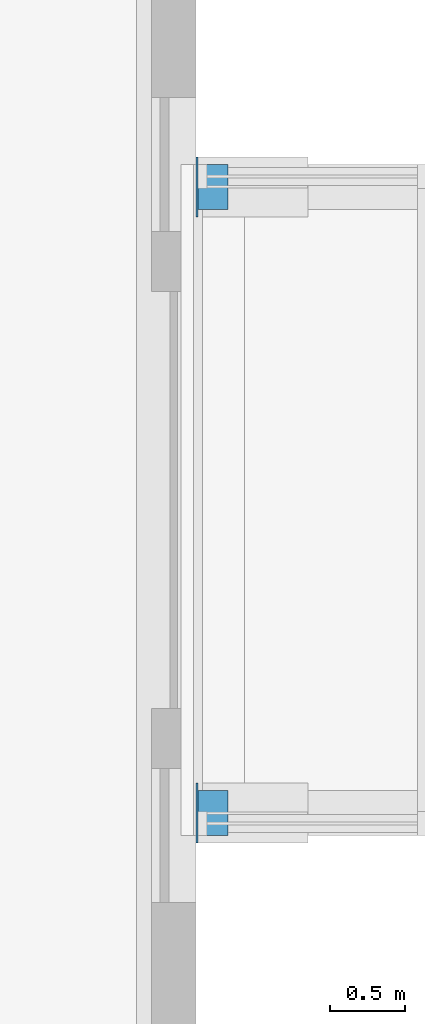
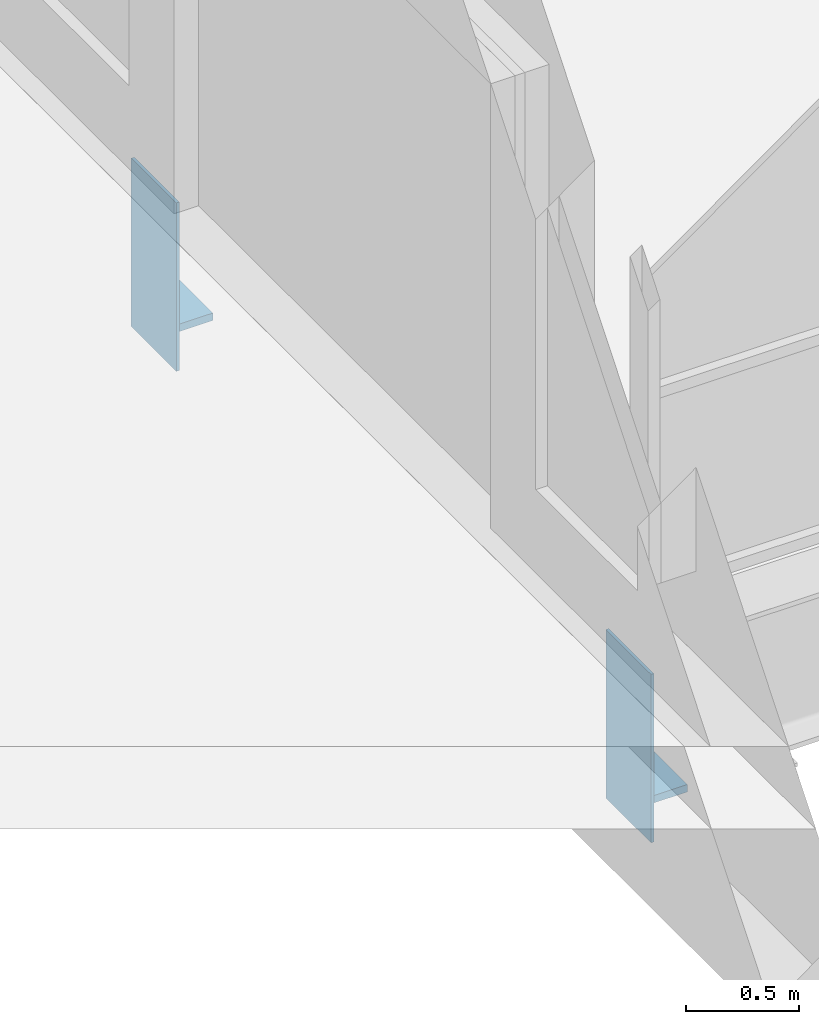
# One storey, part 82 of 106: 4 discrete accessories.
"""IFC4 building model written with IfcOpenShell, lengths in metres."""

from ifc_helpers import new_model, si_unit, direction, frame, origin, origin_2d, place, context, subcontext, project, spatial, rectangle, extrude, material, layer, layer_set, type_object, element, save


model = new_model("IFC4")

# Units and contexts
model_context = context("Model", 3, precision=1e-05, world=origin(), true_north=direction((0.0, 1.0)))
body_context = subcontext(model_context, "Body", "Model", "MODEL_VIEW")
ifc_project = project(units=[si_unit("LENGTHUNIT", "METRE"), si_unit("AREAUNIT", "SQUARE_METRE"), si_unit("VOLUMEUNIT", "CUBIC_METRE"), si_unit("PLANEANGLEUNIT", "RADIAN"), si_unit("MASSUNIT", "GRAM", prefix="KILO")], contexts=[model_context])

# Site, building, storey
site_placement = place(None, origin())
site = spatial("IfcSite", under=ifc_project, at=site_placement, CompositionType="ELEMENT")
building_placement = place(site_placement, origin())
building = spatial("IfcBuilding", under=site, at=building_placement, Name="Guidao Yard Department Store", CompositionType="ELEMENT")
storey_placement = place(building_placement, frame((0.0, 0.0, 10.5)))
storey = spatial("IfcBuildingStorey", under=building, at=storey_placement, Name="L02", CompositionType="ELEMENT", Elevation=10.5)

# Discrete accessories
ifc_material_1 = material(Name="Steel Q355B", Category="steel")
ifc_layer_1 = layer(ifc_material_1, 0.014892578125)
ifc_layer_set_1 = layer_set([ifc_layer_1], Name="Bridge girder back plate SB1 steel")
discrete_accessory_type_1 = type_object("IfcDiscreteAccessoryType", Name="Bridge girder back plate SB1 steel", PredefinedType="BRACKET", material=ifc_layer_set_1)
for number, where, z_axis, x_axis, name in (
    (1, (63.007568359375, 56.39990234375, -1.259765625), (0.0, 0.0, 1.0), (1.0, 0.0, 0.0), "Bridge girder back plate BR03S S"),
    (2, (63.007568359375, 60.60009765625, -1.259765625), (0.0, 0.0, 1.0), (1.0, 0.0, 0.0), "Bridge girder back plate BR03N S"),
):
    element("IfcDiscreteAccessory", number, at=place(storey_placement, frame(where, z_axis=z_axis, x_axis=x_axis)), inside=storey, type_object=discrete_accessory_type_1, Name=name, PredefinedType="BRACKET", context=body_context, shape_type="SweptSolid", body=[
        extrude(rectangle(XDim=0.014892578125, YDim=0.39990234375, at=origin_2d()), origin(), (0.0, 0.0, 1.0), 0.909912109375),
    ])
ifc_material_2 = material(Name="Steel Q355B", Category="steel")
ifc_layer_2 = layer(ifc_material_2, 0.0400390625)
ifc_layer_set_2 = layer_set([ifc_layer_2], Name="Bridge girder sliding bearing BS1 PTFE on steel")
discrete_accessory_type_2 = type_object("IfcDiscreteAccessoryType", Name="Bridge girder sliding bearing BS1 PTFE on steel", PredefinedType="SHOE", material=ifc_layer_set_2)
for number, where, z_axis, x_axis, name in (
    (3, (63.114990234375, 56.39990234375, -1.090087890625), (0.0, 0.0, 1.0), (1.0, 0.0, 0.0), "Bridge girder sliding bearing BR03S"),
    (4, (63.114990234375, 60.60009765625, -1.090087890625), (0.0, 0.0, 1.0), (1.0, 0.0, 0.0), "Bridge girder sliding bearing BR03N"),
):
    element("IfcDiscreteAccessory", number, at=place(storey_placement, frame(where, z_axis=z_axis, x_axis=x_axis)), inside=storey, type_object=discrete_accessory_type_2, Name=name, PredefinedType="SHOE", context=body_context, shape_type="SweptSolid", body=[
        extrude(rectangle(XDim=0.199951171875, YDim=0.300048828125, at=origin_2d()), origin(), (0.0, 0.0, 1.0), 0.0400390625),
    ])

save(model, "model.ifc")
